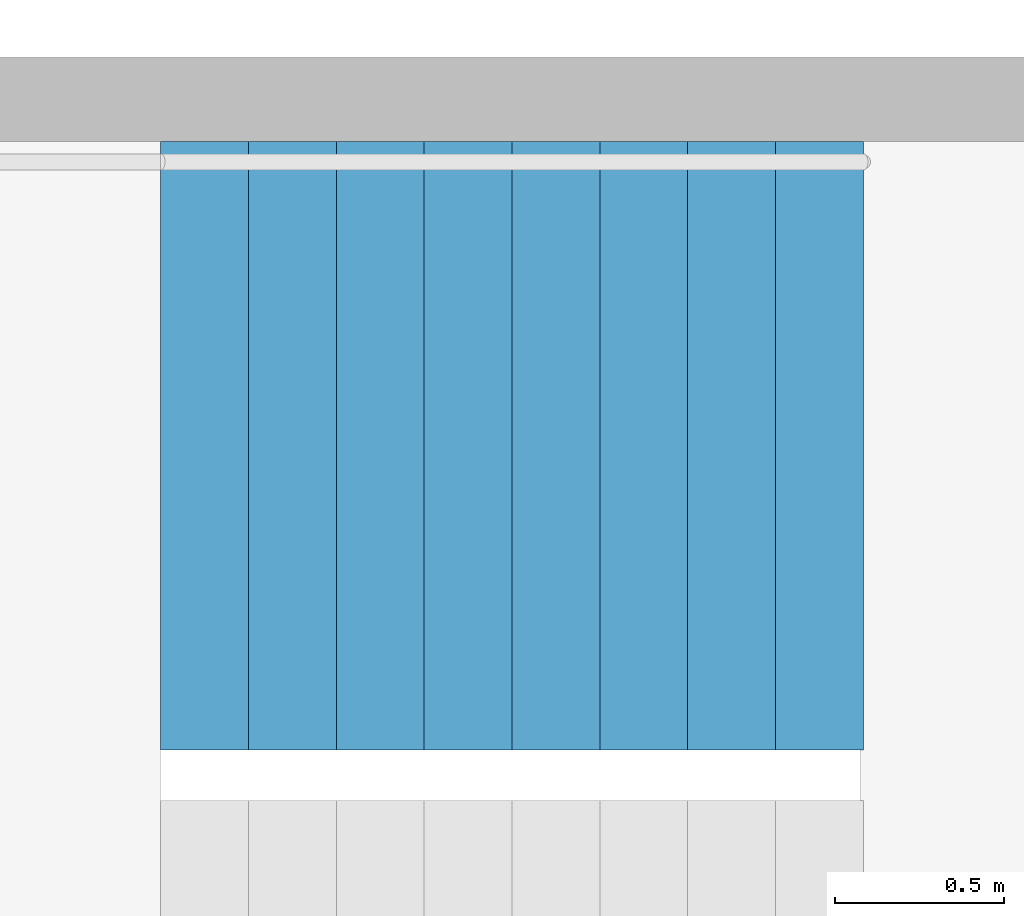
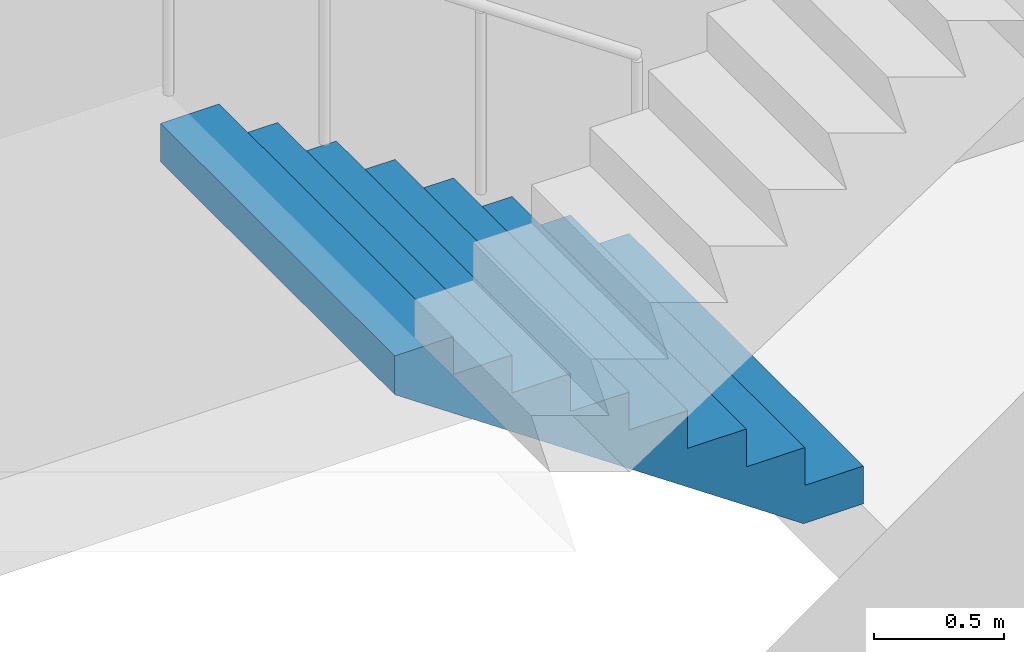
# One storey, part 19 of 26: 1 stair flight, 1 element without a shape of its own.
"""IFC4 building model written with IfcOpenShell, lengths in metres."""

from ifc_helpers import new_model, si_unit, direction, frame, origin, place, context, subcontext, project, spatial, triangles, material, type_object, element, aggregate, save


model = new_model("IFC4")

# Units and contexts
model_context = context("Model", 3, precision=1e-05, world=origin(), true_north=direction((0.0, 1.0)))
body_context = subcontext(model_context, "Body", "Model", "MODEL_VIEW")
ifc_project = project(units=[si_unit("LENGTHUNIT", "METRE"), si_unit("AREAUNIT", "SQUARE_METRE"), si_unit("VOLUMEUNIT", "CUBIC_METRE"), si_unit("PLANEANGLEUNIT", "RADIAN"), si_unit("MASSUNIT", "GRAM", prefix="KILO")], contexts=[model_context])

# Site, building, storey
site_placement = place(None, origin())
site = spatial("IfcSite", under=ifc_project, at=site_placement, CompositionType="ELEMENT")
building_placement = place(site_placement, origin())
building = spatial("IfcBuilding", under=site, at=building_placement, Name="Hakoniwa Tower and Hamabe Station Hall", CompositionType="ELEMENT")
storey_placement = place(building_placement, frame((0.0, 0.0, 153.39990234375)))
storey = spatial("IfcBuildingStorey", under=building, at=storey_placement, Name="L43", CompositionType="ELEMENT", Elevation=153.39990234375)

# Stair, stair flight
ifc_material_1 = material(Name="Concrete C40", Category="concrete")
stair_type = type_object("IfcStairType", Name="ESCAPE STAIR 1800", PredefinedType="HALF_TURN_STAIR", material=ifc_material_1)
stair_placement = place(storey_placement, origin())
stair = element("IfcStair", 1, at=stair_placement, inside=storey, type_object=stair_type, Name="Escape stair ST-2 L43", PredefinedType="HALF_TURN_STAIR")
ifc_material_2 = material(Name="Concrete C40", Category="concrete")
stair_flight_type = type_object("IfcStairFlightType", Name="STAIR FLIGHT 1800", PredefinedType="STRAIGHT", material=ifc_material_2)
stair_flight_placement = place(storey_placement, frame((-23.39990234375, -4.64990234375, 0.0), z_axis=(0.0, 0.0, 1.0), x_axis=(-1.0, 0.0, 0.0)))
stair_flight = element("IfcStairFlight", 2, at=stair_flight_placement, type_object=stair_flight_type, Name="ST-2 flight 1", NumberOfRisers=9, NumberOfTreads=8, PredefinedType="STRAIGHT", RiserHeight=0.177777778, TreadLength=0.26, context=body_context, shape_type="Tessellation", body=[
    triangles([(0.0, 0.89990234375, 0.0), (0.260009765625, 0.89990234375, 0.0), (0.265625, 0.89990234375, 0.0), (0.52001953125, 0.89990234375, 0.174072265625), (0.780029296875, 0.89990234375, 0.351806640625), (1.0400390625, 0.89990234375, 0.529541015625), (1.300048828125, 0.89990234375, 0.707275390625), (1.56005859375, 0.89990234375, 0.885009765625), (1.820068359375, 0.89990234375, 1.062744140625), (2.080078125, 0.89990234375, 1.24072265625), (2.080078125, 0.89990234375, 1.422119140625), (1.820068359375, 0.89990234375, 1.422119140625), (1.820068359375, 0.89990234375, 1.244384765625), (1.56005859375, 0.89990234375, 1.244384765625), (1.56005859375, 0.89990234375, 1.066650390625), (1.300048828125, 0.89990234375, 1.066650390625), (1.300048828125, 0.89990234375, 0.888916015625), (1.0400390625, 0.89990234375, 0.888916015625), (1.0400390625, 0.89990234375, 0.711181640625), (0.780029296875, 0.89990234375, 0.711181640625), (0.780029296875, 0.89990234375, 0.533447265625), (0.52001953125, 0.89990234375, 0.533447265625), (0.52001953125, 0.89990234375, 0.35546875), (0.265625, 0.89990234375, 0.35546875), (0.260009765625, 0.89990234375, 0.35546875), (0.260009765625, 0.89990234375, 0.177734375), (0.0, 0.89990234375, 0.177734375), (0.0, 0.06005859375, 0.0), (0.260009765625, 0.06005859375, 0.0), (0.265625, 0.06005859375, 0.0), (0.52001953125, 0.06005859375, 0.174072265625), (0.780029296875, 0.06005859375, 0.351806640625), (1.0400390625, 0.06005859375, 0.529541015625), (1.300048828125, 0.06005859375, 0.707275390625), (1.56005859375, 0.06005859375, 0.885009765625), (1.820068359375, 0.06005859375, 1.062744140625), (2.080078125, 0.06005859375, 1.24072265625), (2.080078125, 0.06005859375, 1.422119140625), (1.820068359375, 0.06005859375, 1.422119140625), (1.820068359375, 0.06005859375, 1.244384765625), (1.56005859375, 0.06005859375, 1.244384765625), (1.56005859375, 0.06005859375, 1.066650390625), (1.300048828125, 0.06005859375, 1.066650390625), (1.300048828125, 0.06005859375, 0.888916015625), (1.0400390625, 0.06005859375, 0.888916015625), (1.0400390625, 0.06005859375, 0.711181640625), (0.780029296875, 0.06005859375, 0.711181640625), (0.780029296875, 0.06005859375, 0.533447265625), (0.52001953125, 0.06005859375, 0.533447265625), (0.52001953125, 0.06005859375, 0.35546875), (0.265625, 0.06005859375, 0.35546875), (0.260009765625, 0.06005859375, 0.35546875), (0.260009765625, 0.06005859375, 0.177734375), (0.0, 0.06005859375, 0.177734375), (0.0, 0.04296875, 0.0), (0.260009765625, 0.04296875, 0.0), (0.265625, 0.04296875, 0.0), (0.52001953125, 0.04296875, 0.174072265625), (0.780029296875, 0.04296875, 0.351806640625), (1.0400390625, 0.04296875, 0.529541015625), (1.300048828125, 0.04296875, 0.707275390625), (1.56005859375, 0.04296875, 0.885009765625), (1.820068359375, 0.04296875, 1.062744140625), (2.080078125, 0.04296875, 1.24072265625), (2.080078125, 0.04296875, 1.422119140625), (1.820068359375, 0.04296875, 1.422119140625), (1.820068359375, 0.04296875, 1.244384765625), (1.56005859375, 0.04296875, 1.244384765625), (1.56005859375, 0.04296875, 1.066650390625), (1.300048828125, 0.04296875, 1.066650390625), (1.300048828125, 0.04296875, 0.888916015625), (1.0400390625, 0.04296875, 0.888916015625), (1.0400390625, 0.04296875, 0.711181640625), (0.780029296875, 0.04296875, 0.711181640625), (0.780029296875, 0.04296875, 0.533447265625), (0.52001953125, 0.04296875, 0.533447265625), (0.52001953125, 0.04296875, 0.35546875), (0.265625, 0.04296875, 0.35546875), (0.260009765625, 0.04296875, 0.35546875), (0.260009765625, 0.04296875, 0.177734375), (0.0, 0.04296875, 0.177734375), (0.0, 0.025634765625, 0.0), (0.260009765625, 0.025634765625, 0.0), (0.265625, 0.025634765625, 0.0), (0.52001953125, 0.025634765625, 0.174072265625), (0.780029296875, 0.025634765625, 0.351806640625), (1.0400390625, 0.025634765625, 0.529541015625), (1.300048828125, 0.025634765625, 0.707275390625), (1.56005859375, 0.025634765625, 0.885009765625), (1.820068359375, 0.025634765625, 1.062744140625), (2.080078125, 0.025634765625, 1.24072265625), (2.080078125, 0.025634765625, 1.422119140625), (1.820068359375, 0.025634765625, 1.422119140625), (1.820068359375, 0.025634765625, 1.244384765625), (1.56005859375, 0.025634765625, 1.244384765625), (1.56005859375, 0.025634765625, 1.066650390625), (1.300048828125, 0.025634765625, 1.066650390625), (1.300048828125, 0.025634765625, 0.888916015625), (1.0400390625, 0.025634765625, 0.888916015625), (1.0400390625, 0.025634765625, 0.711181640625), (0.780029296875, 0.025634765625, 0.711181640625), (0.780029296875, 0.025634765625, 0.533447265625), (0.52001953125, 0.025634765625, 0.533447265625), (0.52001953125, 0.025634765625, 0.35546875), (0.265625, 0.025634765625, 0.35546875), (0.260009765625, 0.025634765625, 0.35546875), (0.260009765625, 0.025634765625, 0.177734375), (0.0, 0.025634765625, 0.177734375), (0.0, 0.008544921875, 0.0), (0.260009765625, 0.008544921875, 0.0), (0.265625, 0.008544921875, 0.0), (0.52001953125, 0.008544921875, 0.174072265625), (0.780029296875, 0.008544921875, 0.351806640625), (1.0400390625, 0.008544921875, 0.529541015625), (1.300048828125, 0.008544921875, 0.707275390625), (1.56005859375, 0.008544921875, 0.885009765625), (1.820068359375, 0.008544921875, 1.062744140625), (2.080078125, 0.008544921875, 1.24072265625), (2.080078125, 0.008544921875, 1.422119140625), (1.820068359375, 0.008544921875, 1.422119140625), (1.820068359375, 0.008544921875, 1.244384765625), (1.56005859375, 0.008544921875, 1.244384765625), (1.56005859375, 0.008544921875, 1.066650390625), (1.300048828125, 0.008544921875, 1.066650390625), (1.300048828125, 0.008544921875, 0.888916015625), (1.0400390625, 0.008544921875, 0.888916015625), (1.0400390625, 0.008544921875, 0.711181640625), (0.780029296875, 0.008544921875, 0.711181640625), (0.780029296875, 0.008544921875, 0.533447265625), (0.52001953125, 0.008544921875, 0.533447265625), (0.52001953125, 0.008544921875, 0.35546875), (0.265625, 0.008544921875, 0.35546875), (0.260009765625, 0.008544921875, 0.35546875), (0.260009765625, 0.008544921875, 0.177734375), (0.0, 0.008544921875, 0.177734375), (0.0, -0.008544921875, 0.0), (0.260009765625, -0.008544921875, 0.0), (0.265625, -0.008544921875, 0.0), (0.52001953125, -0.008544921875, 0.174072265625), (0.780029296875, -0.008544921875, 0.351806640625), (1.0400390625, -0.008544921875, 0.529541015625), (1.300048828125, -0.008544921875, 0.707275390625), (1.56005859375, -0.008544921875, 0.885009765625), (1.820068359375, -0.008544921875, 1.062744140625), (2.080078125, -0.008544921875, 1.24072265625), (2.080078125, -0.008544921875, 1.422119140625), (1.820068359375, -0.008544921875, 1.422119140625), (1.820068359375, -0.008544921875, 1.244384765625), (1.56005859375, -0.008544921875, 1.244384765625), (1.56005859375, -0.008544921875, 1.066650390625), (1.300048828125, -0.008544921875, 1.066650390625), (1.300048828125, -0.008544921875, 0.888916015625), (1.0400390625, -0.008544921875, 0.888916015625), (1.0400390625, -0.008544921875, 0.711181640625), (0.780029296875, -0.008544921875, 0.711181640625), (0.780029296875, -0.008544921875, 0.533447265625), (0.52001953125, -0.008544921875, 0.533447265625), (0.52001953125, -0.008544921875, 0.35546875), (0.265625, -0.008544921875, 0.35546875), (0.260009765625, -0.008544921875, 0.35546875), (0.260009765625, -0.008544921875, 0.177734375), (0.0, -0.008544921875, 0.177734375), (0.0, -0.025634765625, 0.0), (0.260009765625, -0.025634765625, 0.0), (0.265625, -0.025634765625, 0.0), (0.52001953125, -0.025634765625, 0.174072265625), (0.780029296875, -0.025634765625, 0.351806640625), (1.0400390625, -0.025634765625, 0.529541015625), (1.300048828125, -0.025634765625, 0.707275390625), (1.56005859375, -0.025634765625, 0.885009765625), (1.820068359375, -0.025634765625, 1.062744140625), (2.080078125, -0.025634765625, 1.24072265625), (2.080078125, -0.025634765625, 1.422119140625), (1.820068359375, -0.025634765625, 1.422119140625), (1.820068359375, -0.025634765625, 1.244384765625), (1.56005859375, -0.025634765625, 1.244384765625), (1.56005859375, -0.025634765625, 1.066650390625), (1.300048828125, -0.025634765625, 1.066650390625), (1.300048828125, -0.025634765625, 0.888916015625), (1.0400390625, -0.025634765625, 0.888916015625), (1.0400390625, -0.025634765625, 0.711181640625), (0.780029296875, -0.025634765625, 0.711181640625), (0.780029296875, -0.025634765625, 0.533447265625), (0.52001953125, -0.025634765625, 0.533447265625), (0.52001953125, -0.025634765625, 0.35546875), (0.265625, -0.025634765625, 0.35546875), (0.260009765625, -0.025634765625, 0.35546875), (0.260009765625, -0.025634765625, 0.177734375), (0.0, -0.025634765625, 0.177734375), (0.0, -0.04296875, 0.0), (0.260009765625, -0.04296875, 0.0), (0.265625, -0.04296875, 0.0), (0.52001953125, -0.04296875, 0.174072265625), (0.780029296875, -0.04296875, 0.351806640625), (1.0400390625, -0.04296875, 0.529541015625), (1.300048828125, -0.04296875, 0.707275390625), (1.56005859375, -0.04296875, 0.885009765625), (1.820068359375, -0.04296875, 1.062744140625), (2.080078125, -0.04296875, 1.24072265625), (2.080078125, -0.04296875, 1.422119140625), (1.820068359375, -0.04296875, 1.422119140625), (1.820068359375, -0.04296875, 1.244384765625), (1.56005859375, -0.04296875, 1.244384765625), (1.56005859375, -0.04296875, 1.066650390625), (1.300048828125, -0.04296875, 1.066650390625), (1.300048828125, -0.04296875, 0.888916015625), (1.0400390625, -0.04296875, 0.888916015625), (1.0400390625, -0.04296875, 0.711181640625), (0.780029296875, -0.04296875, 0.711181640625), (0.780029296875, -0.04296875, 0.533447265625), (0.52001953125, -0.04296875, 0.533447265625), (0.52001953125, -0.04296875, 0.35546875), (0.265625, -0.04296875, 0.35546875), (0.260009765625, -0.04296875, 0.35546875), (0.260009765625, -0.04296875, 0.177734375), (0.0, -0.04296875, 0.177734375), (0.0, -0.06005859375, 0.0), (0.260009765625, -0.06005859375, 0.0), (0.265625, -0.06005859375, 0.0), (0.52001953125, -0.06005859375, 0.174072265625), (0.780029296875, -0.06005859375, 0.351806640625), (1.0400390625, -0.06005859375, 0.529541015625), (1.300048828125, -0.06005859375, 0.707275390625), (1.56005859375, -0.06005859375, 0.885009765625), (1.820068359375, -0.06005859375, 1.062744140625), (2.080078125, -0.06005859375, 1.24072265625), (2.080078125, -0.06005859375, 1.422119140625), (1.820068359375, -0.06005859375, 1.422119140625), (1.820068359375, -0.06005859375, 1.244384765625), (1.56005859375, -0.06005859375, 1.244384765625), (1.56005859375, -0.06005859375, 1.066650390625), (1.300048828125, -0.06005859375, 1.066650390625), (1.300048828125, -0.06005859375, 0.888916015625), (1.0400390625, -0.06005859375, 0.888916015625), (1.0400390625, -0.06005859375, 0.711181640625), (0.780029296875, -0.06005859375, 0.711181640625), (0.780029296875, -0.06005859375, 0.533447265625), (0.52001953125, -0.06005859375, 0.533447265625), (0.52001953125, -0.06005859375, 0.35546875), (0.265625, -0.06005859375, 0.35546875), (0.260009765625, -0.06005859375, 0.35546875), (0.260009765625, -0.06005859375, 0.177734375), (0.0, -0.06005859375, 0.177734375), (0.0, -0.89990234375, 0.0), (0.260009765625, -0.89990234375, 0.0), (0.265625, -0.89990234375, 0.0), (0.52001953125, -0.89990234375, 0.174072265625), (0.780029296875, -0.89990234375, 0.351806640625), (1.0400390625, -0.89990234375, 0.529541015625), (1.300048828125, -0.89990234375, 0.707275390625), (1.56005859375, -0.89990234375, 0.885009765625), (1.820068359375, -0.89990234375, 1.062744140625), (2.080078125, -0.89990234375, 1.24072265625), (2.080078125, -0.89990234375, 1.422119140625), (1.820068359375, -0.89990234375, 1.422119140625), (1.820068359375, -0.89990234375, 1.244384765625), (1.56005859375, -0.89990234375, 1.244384765625), (1.56005859375, -0.89990234375, 1.066650390625), (1.300048828125, -0.89990234375, 1.066650390625), (1.300048828125, -0.89990234375, 0.888916015625), (1.0400390625, -0.89990234375, 0.888916015625), (1.0400390625, -0.89990234375, 0.711181640625), (0.780029296875, -0.89990234375, 0.711181640625), (0.780029296875, -0.89990234375, 0.533447265625), (0.52001953125, -0.89990234375, 0.533447265625), (0.52001953125, -0.89990234375, 0.35546875), (0.265625, -0.89990234375, 0.35546875), (0.260009765625, -0.89990234375, 0.35546875), (0.260009765625, -0.89990234375, 0.177734375), (0.0, -0.89990234375, 0.177734375)], [[2, 27, 26], [245, 269, 270], [2, 1, 27], [245, 270, 244], [3, 25, 24], [246, 267, 268], [3, 26, 25], [246, 268, 269], [3, 2, 26], [246, 269, 245], [4, 24, 23], [247, 266, 267], [4, 3, 24], [247, 267, 246], [5, 22, 21], [248, 264, 265], [5, 23, 22], [248, 265, 266], [5, 4, 23], [248, 266, 247], [6, 20, 19], [249, 262, 263], [6, 21, 20], [249, 263, 264], [6, 5, 21], [249, 264, 248], [7, 18, 17], [250, 260, 261], [7, 19, 18], [250, 261, 262], [7, 6, 19], [250, 262, 249], [8, 16, 15], [251, 258, 259], [8, 17, 16], [251, 259, 260], [8, 7, 17], [251, 260, 250], [9, 14, 13], [252, 256, 257], [9, 15, 14], [252, 257, 258], [9, 8, 15], [252, 258, 251], [10, 12, 11], [253, 254, 255], [10, 13, 12], [253, 255, 256], [10, 9, 13], [253, 256, 252], [1, 2, 29], [1, 29, 28], [28, 29, 56], [28, 56, 55], [55, 56, 83], [55, 83, 82], [82, 83, 110], [82, 110, 109], [109, 110, 137], [109, 137, 136], [136, 137, 164], [136, 164, 163], [163, 164, 191], [163, 191, 190], [190, 191, 218], [190, 218, 217], [217, 218, 245], [217, 245, 244], [2, 3, 30], [2, 30, 29], [29, 30, 57], [29, 57, 56], [56, 57, 84], [56, 84, 83], [83, 84, 111], [83, 111, 110], [110, 111, 138], [110, 138, 137], [137, 138, 165], [137, 165, 164], [164, 165, 192], [164, 192, 191], [191, 192, 219], [191, 219, 218], [218, 219, 246], [218, 246, 245], [3, 4, 31], [3, 31, 30], [30, 31, 58], [30, 58, 57], [57, 58, 85], [57, 85, 84], [84, 85, 112], [84, 112, 111], [111, 112, 139], [111, 139, 138], [138, 139, 166], [138, 166, 165], [165, 166, 193], [165, 193, 192], [192, 193, 220], [192, 220, 219], [219, 220, 247], [219, 247, 246], [4, 5, 32], [4, 32, 31], [31, 32, 59], [31, 59, 58], [58, 59, 86], [58, 86, 85], [85, 86, 113], [85, 113, 112], [112, 113, 140], [112, 140, 139], [139, 140, 167], [139, 167, 166], [166, 167, 194], [166, 194, 193], [193, 194, 221], [193, 221, 220], [220, 221, 248], [220, 248, 247], [5, 6, 33], [5, 33, 32], [32, 33, 60], [32, 60, 59], [59, 60, 87], [59, 87, 86], [86, 87, 114], [86, 114, 113], [113, 114, 141], [113, 141, 140], [140, 141, 168], [140, 168, 167], [167, 168, 195], [167, 195, 194], [194, 195, 222], [194, 222, 221], [221, 222, 249], [221, 249, 248], [6, 7, 34], [6, 34, 33], [33, 34, 61], [33, 61, 60], [60, 61, 88], [60, 88, 87], [87, 88, 115], [87, 115, 114], [114, 115, 142], [114, 142, 141], [141, 142, 169], [141, 169, 168], [168, 169, 196], [168, 196, 195], [195, 196, 223], [195, 223, 222], [222, 223, 250], [222, 250, 249], [7, 8, 35], [7, 35, 34], [34, 35, 62], [34, 62, 61], [61, 62, 89], [61, 89, 88], [88, 89, 116], [88, 116, 115], [115, 116, 143], [115, 143, 142], [142, 143, 170], [142, 170, 169], [169, 170, 197], [169, 197, 196], [196, 197, 224], [196, 224, 223], [223, 224, 251], [223, 251, 250], [8, 9, 36], [8, 36, 35], [35, 36, 63], [35, 63, 62], [62, 63, 90], [62, 90, 89], [89, 90, 117], [89, 117, 116], [116, 117, 144], [116, 144, 143], [143, 144, 171], [143, 171, 170], [170, 171, 198], [170, 198, 197], [197, 198, 225], [197, 225, 224], [224, 225, 252], [224, 252, 251], [9, 10, 37], [9, 37, 36], [36, 37, 64], [36, 64, 63], [63, 64, 91], [63, 91, 90], [90, 91, 118], [90, 118, 117], [117, 118, 145], [117, 145, 144], [144, 145, 172], [144, 172, 171], [171, 172, 199], [171, 199, 198], [198, 199, 226], [198, 226, 225], [225, 226, 253], [225, 253, 252], [10, 11, 38], [10, 38, 37], [37, 38, 65], [37, 65, 64], [64, 65, 92], [64, 92, 91], [91, 92, 119], [91, 119, 118], [118, 119, 146], [118, 146, 145], [145, 146, 173], [145, 173, 172], [172, 173, 200], [172, 200, 199], [199, 200, 227], [199, 227, 226], [226, 227, 254], [226, 254, 253], [11, 12, 39], [11, 39, 38], [38, 39, 66], [38, 66, 65], [65, 66, 93], [65, 93, 92], [92, 93, 120], [92, 120, 119], [119, 120, 147], [119, 147, 146], [146, 147, 174], [146, 174, 173], [173, 174, 201], [173, 201, 200], [200, 201, 228], [200, 228, 227], [227, 228, 255], [227, 255, 254], [12, 13, 40], [12, 40, 39], [39, 40, 67], [39, 67, 66], [66, 67, 94], [66, 94, 93], [93, 94, 121], [93, 121, 120], [120, 121, 148], [120, 148, 147], [147, 148, 175], [147, 175, 174], [174, 175, 202], [174, 202, 201], [201, 202, 229], [201, 229, 228], [228, 229, 256], [228, 256, 255], [13, 14, 41], [13, 41, 40], [40, 41, 68], [40, 68, 67], [67, 68, 95], [67, 95, 94], [94, 95, 122], [94, 122, 121], [121, 122, 149], [121, 149, 148], [148, 149, 176], [148, 176, 175], [175, 176, 203], [175, 203, 202], [202, 203, 230], [202, 230, 229], [229, 230, 257], [229, 257, 256], [14, 15, 42], [14, 42, 41], [41, 42, 69], [41, 69, 68], [68, 69, 96], [68, 96, 95], [95, 96, 123], [95, 123, 122], [122, 123, 150], [122, 150, 149], [149, 150, 177], [149, 177, 176], [176, 177, 204], [176, 204, 203], [203, 204, 231], [203, 231, 230], [230, 231, 258], [230, 258, 257], [15, 16, 43], [15, 43, 42], [42, 43, 70], [42, 70, 69], [69, 70, 97], [69, 97, 96], [96, 97, 124], [96, 124, 123], [123, 124, 151], [123, 151, 150], [150, 151, 178], [150, 178, 177], [177, 178, 205], [177, 205, 204], [204, 205, 232], [204, 232, 231], [231, 232, 259], [231, 259, 258], [16, 17, 44], [16, 44, 43], [43, 44, 71], [43, 71, 70], [70, 71, 98], [70, 98, 97], [97, 98, 125], [97, 125, 124], [124, 125, 152], [124, 152, 151], [151, 152, 179], [151, 179, 178], [178, 179, 206], [178, 206, 205], [205, 206, 233], [205, 233, 232], [232, 233, 260], [232, 260, 259], [17, 18, 45], [17, 45, 44], [44, 45, 72], [44, 72, 71], [71, 72, 99], [71, 99, 98], [98, 99, 126], [98, 126, 125], [125, 126, 153], [125, 153, 152], [152, 153, 180], [152, 180, 179], [179, 180, 207], [179, 207, 206], [206, 207, 234], [206, 234, 233], [233, 234, 261], [233, 261, 260], [18, 19, 46], [18, 46, 45], [45, 46, 73], [45, 73, 72], [72, 73, 100], [72, 100, 99], [99, 100, 127], [99, 127, 126], [126, 127, 154], [126, 154, 153], [153, 154, 181], [153, 181, 180], [180, 181, 208], [180, 208, 207], [207, 208, 235], [207, 235, 234], [234, 235, 262], [234, 262, 261], [19, 20, 47], [19, 47, 46], [46, 47, 74], [46, 74, 73], [73, 74, 101], [73, 101, 100], [100, 101, 128], [100, 128, 127], [127, 128, 155], [127, 155, 154], [154, 155, 182], [154, 182, 181], [181, 182, 209], [181, 209, 208], [208, 209, 236], [208, 236, 235], [235, 236, 263], [235, 263, 262], [20, 21, 48], [20, 48, 47], [47, 48, 75], [47, 75, 74], [74, 75, 102], [74, 102, 101], [101, 102, 129], [101, 129, 128], [128, 129, 156], [128, 156, 155], [155, 156, 183], [155, 183, 182], [182, 183, 210], [182, 210, 209], [209, 210, 237], [209, 237, 236], [236, 237, 264], [236, 264, 263], [21, 22, 49], [21, 49, 48], [48, 49, 76], [48, 76, 75], [75, 76, 103], [75, 103, 102], [102, 103, 130], [102, 130, 129], [129, 130, 157], [129, 157, 156], [156, 157, 184], [156, 184, 183], [183, 184, 211], [183, 211, 210], [210, 211, 238], [210, 238, 237], [237, 238, 265], [237, 265, 264], [22, 23, 50], [22, 50, 49], [49, 50, 77], [49, 77, 76], [76, 77, 104], [76, 104, 103], [103, 104, 131], [103, 131, 130], [130, 131, 158], [130, 158, 157], [157, 158, 185], [157, 185, 184], [184, 185, 212], [184, 212, 211], [211, 212, 239], [211, 239, 238], [238, 239, 266], [238, 266, 265], [23, 24, 51], [23, 51, 50], [50, 51, 78], [50, 78, 77], [77, 78, 105], [77, 105, 104], [104, 105, 132], [104, 132, 131], [131, 132, 159], [131, 159, 158], [158, 159, 186], [158, 186, 185], [185, 186, 213], [185, 213, 212], [212, 213, 240], [212, 240, 239], [239, 240, 267], [239, 267, 266], [24, 25, 52], [24, 52, 51], [51, 52, 79], [51, 79, 78], [78, 79, 106], [78, 106, 105], [105, 106, 133], [105, 133, 132], [132, 133, 160], [132, 160, 159], [159, 160, 187], [159, 187, 186], [186, 187, 214], [186, 214, 213], [213, 214, 241], [213, 241, 240], [240, 241, 268], [240, 268, 267], [25, 26, 53], [25, 53, 52], [52, 53, 80], [52, 80, 79], [79, 80, 107], [79, 107, 106], [106, 107, 134], [106, 134, 133], [133, 134, 161], [133, 161, 160], [160, 161, 188], [160, 188, 187], [187, 188, 215], [187, 215, 214], [214, 215, 242], [214, 242, 241], [241, 242, 269], [241, 269, 268], [26, 27, 54], [26, 54, 53], [53, 54, 81], [53, 81, 80], [80, 81, 108], [80, 108, 107], [107, 108, 135], [107, 135, 134], [134, 135, 162], [134, 162, 161], [161, 162, 189], [161, 189, 188], [188, 189, 216], [188, 216, 215], [215, 216, 243], [215, 243, 242], [242, 243, 270], [242, 270, 269], [27, 1, 28], [27, 28, 54], [54, 28, 55], [54, 55, 81], [81, 55, 82], [81, 82, 108], [108, 82, 109], [108, 109, 135], [135, 109, 136], [135, 136, 162], [162, 136, 163], [162, 163, 189], [189, 163, 190], [189, 190, 216], [216, 190, 217], [216, 217, 243], [243, 217, 244], [243, 244, 270]], closed=True),
])
aggregate(stair, [stair_flight])

save(model, "model.ifc")
